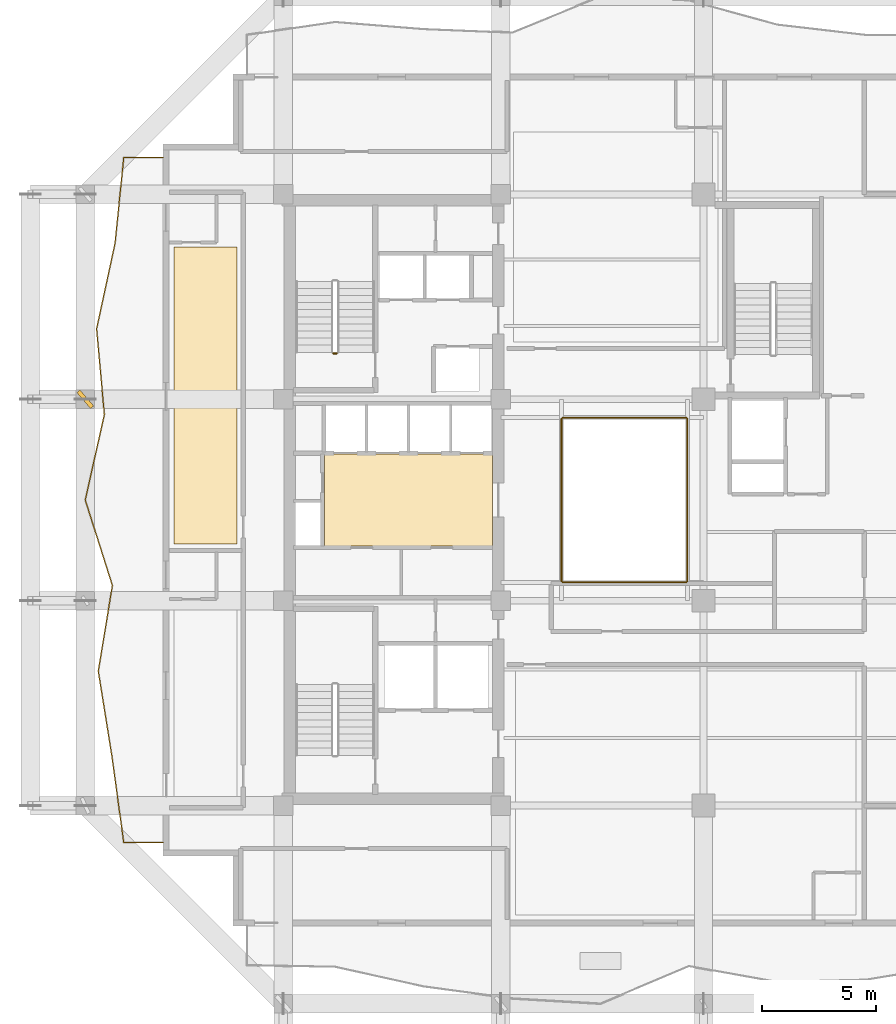
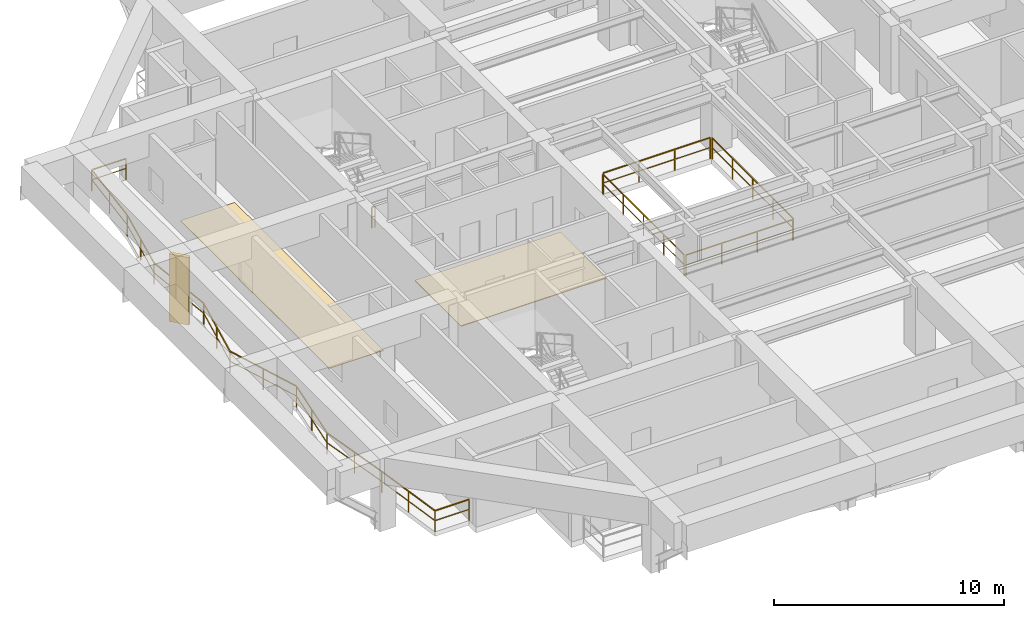
# One storey, part 8 of 11: 6 railings, 2 coverings, 1 shading device.
"""IFC4 building model written with IfcOpenShell, lengths in metres."""

from ifc_helpers import new_model, si_unit, direction, frame, origin, origin_2d, place, context, subcontext, project, spatial, polyline, rectangle, outline, extrude, material, layer, layer_set, type_object, element, save


model = new_model("IFC4")

# Units and contexts
model_context = context("Model", 3, precision=1e-05, world=origin(), true_north=direction((0.0, 1.0)))
body_context = subcontext(model_context, "Body", "Model", "MODEL_VIEW")
ifc_project = project(units=[si_unit("LENGTHUNIT", "METRE"), si_unit("AREAUNIT", "SQUARE_METRE"), si_unit("VOLUMEUNIT", "CUBIC_METRE"), si_unit("PLANEANGLEUNIT", "RADIAN"), si_unit("MASSUNIT", "GRAM", prefix="KILO")], contexts=[model_context])

# Site, building, storey
site_placement = place(None, origin())
site = spatial("IfcSite", under=ifc_project, at=site_placement, CompositionType="ELEMENT")
building_placement = place(site_placement, origin())
building = spatial("IfcBuilding", under=site, at=building_placement, Name="Kundavana Baori Tower", CompositionType="ELEMENT")
storey_placement = place(building_placement, frame((0.0, 0.0, 154.050048828125)))
storey = spatial("IfcBuildingStorey", under=building, at=storey_placement, Name="L37", CompositionType="ELEMENT", Elevation=154.050048828125)

# Coverings
ifc_material_1 = material(Name="Honed Kota Stone and Terrazzo Flooring", Category="masonry")
ifc_layer_1 = layer(ifc_material_1, 0.0400390625, Name="COV-FLR-TERR-40")
ifc_layer_set_1 = layer_set([ifc_layer_1], Name="Honed Kota Stone and Terrazzo Flooring")
covering_type_1 = type_object("IfcCoveringType", Name="COV-FLR-TERR-40", PredefinedType="FLOORING", material=ifc_layer_set_1)
covering_1_placement = place(storey_placement, origin())
element("IfcCovering", 1, at=covering_1_placement, inside=storey, type_object=covering_type_1, Name="L37 Core Lift Lobby Kota Stone Flooring", PredefinedType="FLOORING", context=body_context, shape_type="SweptSolid", body=[
    extrude(outline(polyline([(17.25, 26.580078125), (24.580078125, 26.580078125), (24.580078125, 30.60009765625), (17.25, 30.60009765625), (17.25, 26.580078125)])), origin(), (0.0, 0.0, 1.0), 0.0400390625),
])
ifc_material_2 = material(Name="Honed Kota Stone and Terrazzo Flooring", Category="masonry")
ifc_layer_2 = layer(ifc_material_2, 0.030029296875, Name="COV-INT-FLR")
ifc_layer_set_2 = layer_set([ifc_layer_2], Name="Honed Kota Stone and Terrazzo Flooring")
covering_type_2 = type_object("IfcCoveringType", Name="COV-INT-FLR", PredefinedType="FLOORING", material=ifc_layer_set_2)
covering_2_placement = place(storey_placement, origin())
element("IfcCovering", 2, at=covering_2_placement, inside=storey, type_object=covering_type_2, Name="L37 Room Finished Stone Flooring 2", PredefinedType="FLOORING", context=body_context, shape_type="SweptSolid", body=[
    extrude(outline(polyline([(10.679931640625, 26.679931640625), (13.419921875, 26.679931640625), (13.419921875, 39.64990234375), (10.679931640625, 39.64990234375), (10.679931640625, 26.679931640625)])), origin(), (0.0, 0.0, 1.0), 0.030029296875),
])

# Railings
ifc_material_3 = material(Name="Architectural Patinated Bronze Metalwork")
railing_type_1 = type_object("IfcRailingType", Name="RL-BAL-1150", PredefinedType="BALUSTRADE", material=ifc_material_3)
railing_1_placement = place(storey_placement, frame((10.199951171875, 13.64990234375, 0.0)))
element("IfcRailing", 3, at=railing_1_placement, inside=storey, type_object=railing_type_1, Name="L37 Loggia Balcony Balustrade W", PredefinedType="BALUSTRADE", context=body_context, shape_type="SweptSolid", body=[
    extrude(rectangle(XDim=0.048095703125, YDim=0.048095703125, at=origin_2d()), frame((0.0, 0.0, 1.1259765625), z_axis=(-1.0, 0.0, 0.0), x_axis=(0.0, -1.0, 0.0)), (0.0, 0.0, 1.0), 1.719970703125),
    extrude(rectangle(XDim=0.03125, YDim=0.03125, at=origin_2d()), frame((0.0, 0.0, 0.597900390625), z_axis=(-1.0, 0.0, 0.0), x_axis=(0.0, -1.0, 0.0)), (0.0, 0.0, 1.0), 1.719970703125),
    extrude(rectangle(XDim=0.048095703125, YDim=0.048095703125, at=origin_2d()), frame((-1.719970703125, 0.0, 1.1259765625), z_axis=(-0.136490665829, 0.990641356971, 0.0), x_axis=(-0.990641356971, -0.136490665829, 0.0)), (0.0, 0.0, 1.0), 3.7724609375),
    extrude(rectangle(XDim=0.03125, YDim=0.03125, at=origin_2d()), frame((-1.719970703125, 0.0, 0.597900390625), z_axis=(-0.136490665829, 0.990641356971, 0.0), x_axis=(-0.990641356971, -0.136490665829, 0.0)), (0.0, 0.0, 1.0), 3.7724609375),
    extrude(rectangle(XDim=0.048095703125, YDim=0.048095703125, at=origin_2d()), frame((-2.23486328125, 3.737060546875, 1.1259765625), z_axis=(-0.158005592838, 0.987438217121, 0.0), x_axis=(-0.987438217121, -0.158005592838, 0.0)), (0.0, 0.0, 1.0), 3.78564453125),
    extrude(rectangle(XDim=0.03125, YDim=0.03125, at=origin_2d()), frame((-2.23486328125, 3.737060546875, 0.597900390625), z_axis=(-0.158005592838, 0.987438217121, 0.0), x_axis=(-0.987438217121, -0.158005592838, 0.0)), (0.0, 0.0, 1.0), 3.78564453125),
    extrude(rectangle(XDim=0.048095703125, YDim=0.048095703125, at=origin_2d()), frame((-2.8330078125, 7.47509765625, 1.1259765625), z_axis=(0.162883179532, 0.986645361731, 0.0), x_axis=(-0.986645361731, 0.162883179532, 0.0)), (0.0, 0.0, 1.0), 3.78759765625),
    extrude(rectangle(XDim=0.03125, YDim=0.03125, at=origin_2d()), frame((-2.8330078125, 7.47509765625, 0.597900390625), z_axis=(0.162883179532, 0.986645361731, 0.0), x_axis=(-0.986645361731, 0.162883179532, 0.0)), (0.0, 0.0, 1.0), 3.78759765625),
    extrude(rectangle(XDim=0.048095703125, YDim=0.048095703125, at=origin_2d()), frame((-2.216064453125, 11.212158203125, 1.1259765625), z_axis=(-0.301920942653, 0.953332966171, 0.0), x_axis=(-0.953332966171, -0.301920942653, 0.0)), (0.0, 0.0, 1.0), 3.9208984375),
    extrude(rectangle(XDim=0.03125, YDim=0.03125, at=origin_2d()), frame((-2.216064453125, 11.212158203125, 0.597900390625), z_axis=(-0.301920942653, 0.953332966171, 0.0), x_axis=(-0.953332966171, -0.301920942653, 0.0)), (0.0, 0.0, 1.0), 3.9208984375),
    extrude(rectangle(XDim=0.048095703125, YDim=0.048095703125, at=origin_2d()), frame((-3.39990234375, 14.9501953125, 1.1259765625), z_axis=(0.217578599466, 0.97604280288, 0.0), x_axis=(-0.97604280288, 0.217578599466, 0.0)), (0.0, 0.0, 1.0), 3.82861328125),
    extrude(rectangle(XDim=0.03125, YDim=0.03125, at=origin_2d()), frame((-3.39990234375, 14.9501953125, 0.597900390625), z_axis=(0.217578599466, 0.97604280288, 0.0), x_axis=(-0.97604280288, 0.217578599466, 0.0)), (0.0, 0.0, 1.0), 3.82861328125),
    extrude(rectangle(XDim=0.048095703125, YDim=0.048095703125, at=origin_2d()), frame((-2.56689453125, 18.68701171875, 1.1259765625), z_axis=(-0.090606121159, 0.995886806223, 0.0), x_axis=(-0.995886806223, -0.090606121159, 0.0)), (0.0, 0.0, 1.0), 3.75341796875),
    extrude(rectangle(XDim=0.03125, YDim=0.03125, at=origin_2d()), frame((-2.56689453125, 18.68701171875, 0.597900390625), z_axis=(-0.090606121159, 0.995886806223, 0.0), x_axis=(-0.995886806223, -0.090606121159, 0.0)), (0.0, 0.0, 1.0), 3.75341796875),
    extrude(rectangle(XDim=0.048095703125, YDim=0.048095703125, at=origin_2d()), frame((-2.906982421875, 22.425048828125, 1.1259765625), z_axis=(0.210867784828, 0.977514591872, 0.0), x_axis=(-0.977514591872, 0.210867784828, 0.0)), (0.0, 0.0, 1.0), 3.822998046875),
    extrude(rectangle(XDim=0.03125, YDim=0.03125, at=origin_2d()), frame((-2.906982421875, 22.425048828125, 0.597900390625), z_axis=(0.210867784828, 0.977514591872, 0.0), x_axis=(-0.977514591872, 0.210867784828, 0.0)), (0.0, 0.0, 1.0), 3.822998046875),
    extrude(rectangle(XDim=0.048095703125, YDim=0.048095703125, at=origin_2d()), frame((-2.100830078125, 26.162109375, 1.1259765625), z_axis=(0.101362763311, 0.994849531444, 0.0), x_axis=(-0.994849531444, 0.101362763311, 0.0)), (0.0, 0.0, 1.0), 3.75732421875),
    extrude(rectangle(XDim=0.03125, YDim=0.03125, at=origin_2d()), frame((-2.100830078125, 26.162109375, 0.597900390625), z_axis=(0.101362763311, 0.994849531444, 0.0), x_axis=(-0.994849531444, 0.101362763311, 0.0)), (0.0, 0.0, 1.0), 3.75732421875),
    extrude(rectangle(XDim=0.048095703125, YDim=0.048095703125, at=origin_2d()), frame((-1.719970703125, 29.900146484375, 1.1259765625), z_axis=(1.0, 0.0, 0.0), x_axis=(0.0, 1.0, 0.0)), (0.0, 0.0, 1.0), 1.719970703125),
    extrude(rectangle(XDim=0.03125, YDim=0.03125, at=origin_2d()), frame((-1.719970703125, 29.900146484375, 0.597900390625), z_axis=(1.0, 0.0, 0.0), x_axis=(0.0, 1.0, 0.0)), (0.0, 0.0, 1.0), 1.719970703125),
    extrude(rectangle(XDim=0.0419921875, YDim=0.0419921875, at=origin_2d()), origin(), (0.0, 0.0, 1.0), 1.101806640625),
    extrude(rectangle(XDim=0.0419921875, YDim=0.0419921875, at=origin_2d()), frame((-1.719970703125, 0.0, 0.0)), (0.0, 0.0, 1.0), 1.101806640625),
    extrude(rectangle(XDim=0.0419921875, YDim=0.0419921875, at=origin_2d()), frame((-1.9775390625, 1.86865234375, 0.0)), (0.0, 0.0, 1.0), 1.101806640625),
    extrude(rectangle(XDim=0.0419921875, YDim=0.0419921875, at=origin_2d()), frame((-2.23486328125, 3.737060546875, 0.0)), (0.0, 0.0, 1.0), 1.101806640625),
    extrude(rectangle(XDim=0.0419921875, YDim=0.0419921875, at=origin_2d()), frame((-2.533935546875, 5.60595703125, 0.0)), (0.0, 0.0, 1.0), 1.101806640625),
    extrude(rectangle(XDim=0.0419921875, YDim=0.0419921875, at=origin_2d()), frame((-2.8330078125, 7.47509765625, 0.0)), (0.0, 0.0, 1.0), 1.101806640625),
    extrude(rectangle(XDim=0.0419921875, YDim=0.0419921875, at=origin_2d()), frame((-2.5244140625, 9.34375, 0.0)), (0.0, 0.0, 1.0), 1.101806640625),
    extrude(rectangle(XDim=0.0419921875, YDim=0.0419921875, at=origin_2d()), frame((-2.216064453125, 11.212158203125, 0.0)), (0.0, 0.0, 1.0), 1.101806640625),
    extrude(rectangle(XDim=0.0419921875, YDim=0.0419921875, at=origin_2d()), frame((-2.80810546875, 13.0810546875, 0.0)), (0.0, 0.0, 1.0), 1.101806640625),
    extrude(rectangle(XDim=0.0419921875, YDim=0.0419921875, at=origin_2d()), frame((-3.39990234375, 14.9501953125, 0.0)), (0.0, 0.0, 1.0), 1.101806640625),
    extrude(rectangle(XDim=0.0419921875, YDim=0.0419921875, at=origin_2d()), frame((-2.9833984375, 16.818603515625, 0.0)), (0.0, 0.0, 1.0), 1.101806640625),
    extrude(rectangle(XDim=0.0419921875, YDim=0.0419921875, at=origin_2d()), frame((-2.56689453125, 18.68701171875, 0.0)), (0.0, 0.0, 1.0), 1.101806640625),
    extrude(rectangle(XDim=0.0419921875, YDim=0.0419921875, at=origin_2d()), frame((-2.73681640625, 20.55615234375, 0.0)), (0.0, 0.0, 1.0), 1.101806640625),
    extrude(rectangle(XDim=0.0419921875, YDim=0.0419921875, at=origin_2d()), frame((-2.906982421875, 22.425048828125, 0.0)), (0.0, 0.0, 1.0), 1.101806640625),
    extrude(rectangle(XDim=0.0419921875, YDim=0.0419921875, at=origin_2d()), frame((-2.50390625, 24.29345703125, 0.0)), (0.0, 0.0, 1.0), 1.101806640625),
    extrude(rectangle(XDim=0.0419921875, YDim=0.0419921875, at=origin_2d()), frame((-2.100830078125, 26.162109375, 0.0)), (0.0, 0.0, 1.0), 1.101806640625),
    extrude(rectangle(XDim=0.0419921875, YDim=0.0419921875, at=origin_2d()), frame((-1.910400390625, 28.03125, 0.0)), (0.0, 0.0, 1.0), 1.101806640625),
    extrude(rectangle(XDim=0.0419921875, YDim=0.0419921875, at=origin_2d()), frame((-1.719970703125, 29.900146484375, 0.0)), (0.0, 0.0, 1.0), 1.101806640625),
    extrude(rectangle(XDim=0.0419921875, YDim=0.0419921875, at=origin_2d()), frame((0.0, 29.900146484375, 0.0)), (0.0, 0.0, 1.0), 1.101806640625),
])
ifc_material_4 = material(Name="Architectural Patinated Bronze Metalwork")
railing_type_2 = type_object("IfcRailingType", Name="RL-GRD-1150", PredefinedType="GUARDRAIL", material=ifc_material_4)
railing_2_placement = place(storey_placement, frame((17.7900390625, 35.0, 0.0)))
element("IfcRailing", 4, at=railing_2_placement, inside=storey, type_object=railing_type_2, Name="L37 ST2 stair guard 4", PredefinedType="GUARDRAIL", context=body_context, shape_type="SweptSolid", body=[
    extrude(rectangle(XDim=0.048095703125, YDim=0.048095703125, at=origin_2d()), frame((0.0, 0.0, 1.1259765625), z_axis=(-1.0, 0.0, 0.0), x_axis=(0.0, -1.0, 0.0)), (0.0, 0.0, 1.0), 0.16015625),
    extrude(rectangle(XDim=0.03125, YDim=0.03125, at=origin_2d()), frame((0.0, 0.0, 0.597900390625), z_axis=(-1.0, 0.0, 0.0), x_axis=(0.0, -1.0, 0.0)), (0.0, 0.0, 1.0), 0.16015625),
    extrude(rectangle(XDim=0.0419921875, YDim=0.0419921875, at=origin_2d()), origin(), (0.0, 0.0, 1.0), 1.101806640625),
    extrude(rectangle(XDim=0.0419921875, YDim=0.0419921875, at=origin_2d()), frame((-0.16015625, 0.0, 0.0)), (0.0, 0.0, 1.0), 1.101806640625),
])
railing_3_placement = place(storey_placement, frame((27.659912109375, 25.0, 0.0)))
element("IfcRailing", 5, at=railing_3_placement, inside=storey, type_object=railing_type_2, Name="L37 Atrium Void Perimeter Guardrail S", PredefinedType="GUARDRAIL", context=body_context, shape_type="SweptSolid", body=[
    extrude(rectangle(XDim=0.048095703125, YDim=0.048095703125, at=origin_2d()), frame((0.0, 0.0, 1.1259765625), z_axis=(1.0, 0.0, 0.0), x_axis=(0.0, 1.0, 0.0)), (0.0, 0.0, 1.0), 5.380126953125),
    extrude(rectangle(XDim=0.03125, YDim=0.03125, at=origin_2d()), frame((0.0, 0.0, 0.597900390625), z_axis=(1.0, 0.0, 0.0), x_axis=(0.0, 1.0, 0.0)), (0.0, 0.0, 1.0), 5.380126953125),
    extrude(rectangle(XDim=0.0419921875, YDim=0.0419921875, at=origin_2d()), origin(), (0.0, 0.0, 1.0), 1.101806640625),
    extrude(rectangle(XDim=0.0419921875, YDim=0.0419921875, at=origin_2d()), frame((1.79345703125, 0.0, 0.0)), (0.0, 0.0, 1.0), 1.101806640625),
    extrude(rectangle(XDim=0.0419921875, YDim=0.0419921875, at=origin_2d()), frame((3.586669921875, 0.0, 0.0)), (0.0, 0.0, 1.0), 1.101806640625),
    extrude(rectangle(XDim=0.0419921875, YDim=0.0419921875, at=origin_2d()), frame((5.380126953125, 0.0, 0.0)), (0.0, 0.0, 1.0), 1.101806640625),
])
railing_4_placement = place(storey_placement, frame((33.10009765625, 25.06005859375, 0.0)))
element("IfcRailing", 6, at=railing_4_placement, inside=storey, type_object=railing_type_2, Name="L37 Atrium Void Perimeter Guardrail E", PredefinedType="GUARDRAIL", context=body_context, shape_type="SweptSolid", body=[
    extrude(rectangle(XDim=0.048095703125, YDim=0.048095703125, at=origin_2d()), frame((0.0, 0.0, 1.1259765625), z_axis=(0.0, 1.0, 0.0), x_axis=(-1.0, 0.0, 0.0)), (0.0, 0.0, 1.0), 7.079833984375),
    extrude(rectangle(XDim=0.03125, YDim=0.03125, at=origin_2d()), frame((0.0, 0.0, 0.597900390625), z_axis=(0.0, 1.0, 0.0), x_axis=(-1.0, 0.0, 0.0)), (0.0, 0.0, 1.0), 7.079833984375),
    extrude(rectangle(XDim=0.0419921875, YDim=0.0419921875, at=origin_2d()), origin(), (0.0, 0.0, 1.0), 1.101806640625),
    extrude(rectangle(XDim=0.0419921875, YDim=0.0419921875, at=origin_2d()), frame((0.0, 1.77001953125, 0.0)), (0.0, 0.0, 1.0), 1.101806640625),
    extrude(rectangle(XDim=0.0419921875, YDim=0.0419921875, at=origin_2d()), frame((0.0, 3.5400390625, 0.0)), (0.0, 0.0, 1.0), 1.101806640625),
    extrude(rectangle(XDim=0.0419921875, YDim=0.0419921875, at=origin_2d()), frame((0.0, 5.309814453125, 0.0)), (0.0, 0.0, 1.0), 1.101806640625),
    extrude(rectangle(XDim=0.0419921875, YDim=0.0419921875, at=origin_2d()), frame((0.0, 7.079833984375, 0.0)), (0.0, 0.0, 1.0), 1.101806640625),
])
railing_5_placement = place(storey_placement, frame((33.0400390625, 32.199951171875, 0.0)))
element("IfcRailing", 7, at=railing_5_placement, inside=storey, type_object=railing_type_2, Name="L37 Atrium Void Perimeter Guardrail N", PredefinedType="GUARDRAIL", context=body_context, shape_type="SweptSolid", body=[
    extrude(rectangle(XDim=0.048095703125, YDim=0.048095703125, at=origin_2d()), frame((0.0, 0.0, 1.1259765625), z_axis=(-1.0, 0.0, 0.0), x_axis=(0.0, -1.0, 0.0)), (0.0, 0.0, 1.0), 5.380126953125),
    extrude(rectangle(XDim=0.03125, YDim=0.03125, at=origin_2d()), frame((0.0, 0.0, 0.597900390625), z_axis=(-1.0, 0.0, 0.0), x_axis=(0.0, -1.0, 0.0)), (0.0, 0.0, 1.0), 5.380126953125),
    extrude(rectangle(XDim=0.0419921875, YDim=0.0419921875, at=origin_2d()), origin(), (0.0, 0.0, 1.0), 1.101806640625),
    extrude(rectangle(XDim=0.0419921875, YDim=0.0419921875, at=origin_2d()), frame((-1.79345703125, 0.0, 0.0)), (0.0, 0.0, 1.0), 1.101806640625),
    extrude(rectangle(XDim=0.0419921875, YDim=0.0419921875, at=origin_2d()), frame((-3.586669921875, 0.0, 0.0)), (0.0, 0.0, 1.0), 1.101806640625),
    extrude(rectangle(XDim=0.0419921875, YDim=0.0419921875, at=origin_2d()), frame((-5.380126953125, 0.0, 0.0)), (0.0, 0.0, 1.0), 1.101806640625),
])
railing_6_placement = place(storey_placement, frame((27.60009765625, 32.139892578125, 0.0)))
element("IfcRailing", 8, at=railing_6_placement, inside=storey, type_object=railing_type_2, Name="L37 Atrium Void Perimeter Guardrail W", PredefinedType="GUARDRAIL", context=body_context, shape_type="SweptSolid", body=[
    extrude(rectangle(XDim=0.048095703125, YDim=0.048095703125, at=origin_2d()), frame((0.0, 0.0, 1.1259765625), z_axis=(0.0, -1.0, 0.0), x_axis=(1.0, 0.0, 0.0)), (0.0, 0.0, 1.0), 7.079833984375),
    extrude(rectangle(XDim=0.03125, YDim=0.03125, at=origin_2d()), frame((0.0, 0.0, 0.597900390625), z_axis=(0.0, -1.0, 0.0), x_axis=(1.0, 0.0, 0.0)), (0.0, 0.0, 1.0), 7.079833984375),
    extrude(rectangle(XDim=0.0419921875, YDim=0.0419921875, at=origin_2d()), origin(), (0.0, 0.0, 1.0), 1.101806640625),
    extrude(rectangle(XDim=0.0419921875, YDim=0.0419921875, at=origin_2d()), frame((0.0, -1.77001953125, 0.0)), (0.0, 0.0, 1.0), 1.101806640625),
    extrude(rectangle(XDim=0.0419921875, YDim=0.0419921875, at=origin_2d()), frame((0.0, -3.5400390625, 0.0)), (0.0, 0.0, 1.0), 1.101806640625),
    extrude(rectangle(XDim=0.0419921875, YDim=0.0419921875, at=origin_2d()), frame((0.0, -5.309814453125, 0.0)), (0.0, 0.0, 1.0), 1.101806640625),
    extrude(rectangle(XDim=0.0419921875, YDim=0.0419921875, at=origin_2d()), frame((0.0, -7.079833984375, 0.0)), (0.0, 0.0, 1.0), 1.101806640625),
])

# Shading device
ifc_material_5 = material(Name="Red-Buff Dholpur Sandstone Cladding on Concrete C40/50", Category="masonry")
shading_device_type = type_object("IfcShadingDeviceType", Name="SHD-FIN-920", PredefinedType="JALOUSIE", material=ifc_material_5)
shading_device_placement = place(storey_placement, frame((6.800048828125, 33.0, 0.0), z_axis=(0.0, 0.0, 1.0), x_axis=(0.755739183826, 0.654872725061, 0.0)))
element("IfcShadingDevice", 9, at=shading_device_placement, inside=storey, type_object=shading_device_type, Name="L37 Sweeping Dholpur Sandstone Facade Fin 7", PredefinedType="JALOUSIE", context=body_context, shape_type="SweptSolid", body=[
    extrude(rectangle(XDim=0.179931640625, YDim=0.919921875, at=origin_2d()), origin(), (0.0, 0.0, 1.0), 3.60009765625),
])

save(model, "model.ifc")
